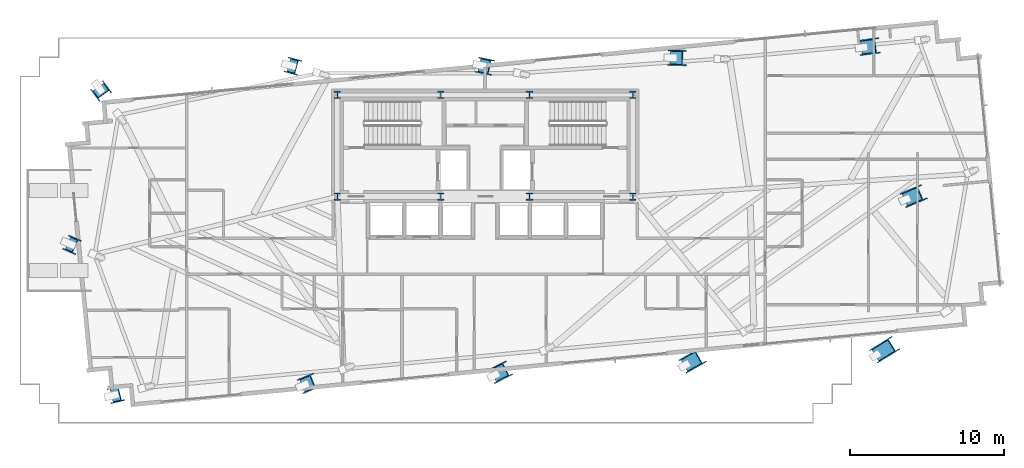
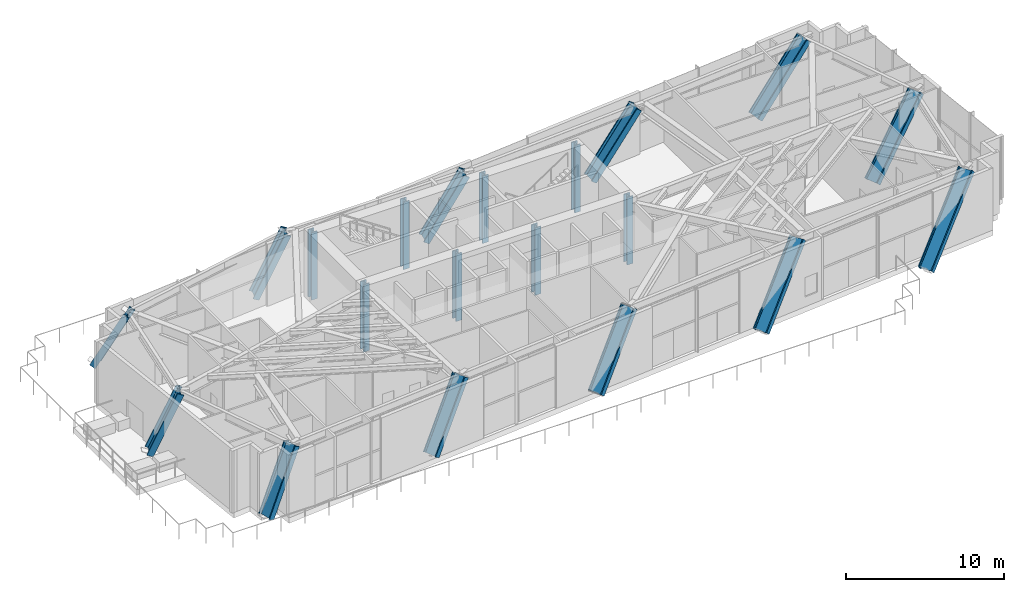
# One storey, part 1 of 28: 20 columns.
"""IFC4 building model written with IfcOpenShell, lengths in metres."""

from ifc_helpers import new_model, si_unit, direction, frame, origin, origin_2d, place, context, subcontext, project, spatial, i_section, extrude, source, transform, mapped, material, material_profile, profile_set, type_object, type_shapes, element, save


model = new_model("IFC4")

# Units and contexts
model_context = context("Model", 3, precision=1e-05, world=origin(), true_north=direction((0.0, 1.0)))
body_context = subcontext(model_context, "Body", "Model", "MODEL_VIEW")
ifc_project = project(units=[si_unit("LENGTHUNIT", "METRE"), si_unit("AREAUNIT", "SQUARE_METRE"), si_unit("VOLUMEUNIT", "CUBIC_METRE"), si_unit("PLANEANGLEUNIT", "RADIAN"), si_unit("MASSUNIT", "GRAM", prefix="KILO")], contexts=[model_context])

# Site, building, storey
site_placement = place(None, origin())
site = spatial("IfcSite", under=ifc_project, at=site_placement, CompositionType="ELEMENT")
building_placement = place(site_placement, origin())
building = spatial("IfcBuilding", under=site, at=building_placement, Name="Astriad Promenade Condominiums", CompositionType="ELEMENT")
storey_placement = place(building_placement, frame((0.0, 0.0, 72.60009765625)))
storey = spatial("IfcBuildingStorey", under=building, at=storey_placement, Name="L20", CompositionType="ELEMENT", Elevation=72.60009765625)

# Columns
ifc_material = material(Name="Steel ASTM A992 Grade 50", Category="steel")
ifc_material_profile_1 = material_profile(ifc_material, i_section(OverallWidth=0.427490234375, OverallDepth=0.483154296875, WebThickness=0.05126953125, FlangeThickness=0.08154296875, FilletRadius=0.017822265625, at=origin_2d()), Name="W14X455")
ifc_profile_set_1 = profile_set([ifc_material_profile_1], Name="Steel ASTM A992 Grade 50")
column_type_1 = type_object("IfcColumnType", Name="STEEL CORE PILASTER W14X455", PredefinedType="PILASTER", material=ifc_profile_set_1)
shared_shape_1 = source(origin(), body_context, "Body", "SweptSolid", [
    extrude(i_section(OverallWidth=0.427490234375, OverallDepth=0.483154296875, WebThickness=0.05126953125, FlangeThickness=0.08154296875, FilletRadius=0.017822265625, at=origin_2d()), origin(), (0.0, 0.0, 1.0), 5.196044921875),
])
type_shapes(column_type_1, [shared_shape_1])
for number, where, z_axis, x_axis, name in (
    (1, (26.39990234375, 17.39990234375, 0.001953125), (0.0, 0.0, 1.0), (1.0, 0.0, 0.0), "Core Pilaster Column CP1 (L20)"),
    (2, (33.1201171875, 17.39990234375, 0.001953125), (0.0, 0.0, 1.0), (1.0, 0.0, 0.0), "Core Pilaster Column CP2 (L20)"),
    (3, (38.8798828125, 17.39990234375, 0.001953125), (0.0, 0.0, 1.0), (1.0, 0.0, 0.0), "Core Pilaster Column CP3 (L20)"),
    (4, (45.60009765625, 17.39990234375, 0.001953125), (0.0, 0.0, 1.0), (1.0, 0.0, 0.0), "Core Pilaster Column CP4 (L20)"),
    (5, (26.39990234375, 24.0, 0.001953125), (0.0, 0.0, 1.0), (1.0, 0.0, 0.0), "Core Pilaster Column CP5 (L20)"),
    (6, (33.1201171875, 24.0, 0.001953125), (0.0, 0.0, 1.0), (1.0, 0.0, 0.0), "Core Pilaster Column CP6 (L20)"),
    (7, (38.8798828125, 24.0, 0.001953125), (0.0, 0.0, 1.0), (1.0, 0.0, 0.0), "Core Pilaster Column CP7 (L20)"),
    (8, (45.60009765625, 24.0, 0.001953125), (0.0, 0.0, 1.0), (1.0, 0.0, 0.0), "Core Pilaster Column CP8 (L20)"),
):
    element("IfcColumn", number, at=place(storey_placement, frame(where, z_axis=z_axis, x_axis=x_axis)), inside=storey, type_object=column_type_1, Name=name, PredefinedType="PILASTER", context=body_context, shape_type="MappedRepresentation", body=[
        mapped(shared_shape_1, transform((0.0, 0.0, 0.0), scale=1.0)),
    ])
ifc_material_profile_2 = material_profile(ifc_material, i_section(OverallWidth=0.4375, OverallDepth=1.01123046875, WebThickness=0.041015625, FlangeThickness=0.073974609375, FilletRadius=0.024169921875, at=origin_2d()), Name="W36X529")
ifc_profile_set_2 = profile_set([ifc_material_profile_2], Name="Steel ASTM A992 Grade 50")
column_type_2 = type_object("IfcColumnType", Name="STEEL RAKING MEGA COLUMN W36X529", PredefinedType="COLUMN", material=ifc_profile_set_2)
shared_shape_2 = source(origin(), body_context, "Body", "SweptSolid", [
    extrude(i_section(OverallWidth=0.4375, OverallDepth=1.01123046875, WebThickness=0.041015625, FlangeThickness=0.073974609375, FilletRadius=0.024169921875, at=origin_2d()), origin(), (0.0, 0.0, 1.0), 5.085205078125),
])
column_1_placement = place(storey_placement, frame((11.73486328125, 4.45751953125, 0.1083984375), z_axis=(0.428528444191, 0.106003899258, 0.897288440727), x_axis=(-0.871034557512, -0.215465415974, 0.44144473509)))
element("IfcColumn", 9, at=column_1_placement, inside=storey, type_object=column_type_2, Name="Raking Mega-Strut Column PC01 (L20)", PredefinedType="COLUMN", context=body_context, shape_type="MappedRepresentation", body=[
    mapped(shared_shape_2, transform((0.0, 0.0, 0.0), scale=1.0)),
])
shared_shape_3 = source(origin(), body_context, "Body", "SweptSolid", [
    extrude(i_section(OverallWidth=0.4375, OverallDepth=1.01123046875, WebThickness=0.041015625, FlangeThickness=0.073974609375, FilletRadius=0.024169921875, at=origin_2d()), origin(), (0.0, 0.0, 1.0), 5.423583984375),
])
column_2_placement = place(storey_placement, frame((24.135009765625, 5.105712890625, 0.133056640625), z_axis=(0.514107031912, 0.207605431326, 0.832222292793), x_axis=(-0.771678997149, -0.311617505897, 0.554442111837)))
element("IfcColumn", 10, at=column_2_placement, inside=storey, type_object=column_type_2, Name="Raking Mega-Strut Column PC02 (L20)", PredefinedType="COLUMN", context=body_context, shape_type="MappedRepresentation", body=[
    mapped(shared_shape_3, transform((0.0, 0.0, 0.0), scale=1.0)),
])
shared_shape_4 = source(origin(), body_context, "Body", "SweptSolid", [
    extrude(i_section(OverallWidth=0.4375, OverallDepth=1.01123046875, WebThickness=0.041015625, FlangeThickness=0.073974609375, FilletRadius=0.024169921875, at=origin_2d()), origin(), (0.0, 0.0, 1.0), 5.865478515625),
])
column_3_placement = place(storey_placement, frame((36.5390625, 5.7587890625, 0.1533203125), z_axis=(0.577983981192, 0.290407189744, 0.762625846421), x_axis=(-0.681444578201, -0.342390812481, 0.646839870733)))
element("IfcColumn", 11, at=column_3_placement, inside=storey, type_object=column_type_2, Name="Raking Mega-Strut Column PC03 (L20)", PredefinedType="COLUMN", context=body_context, shape_type="MappedRepresentation", body=[
    mapped(shared_shape_4, transform((0.0, 0.0, 0.0), scale=1.0)),
])
shared_shape_5 = source(origin(), body_context, "Body", "SweptSolid", [
    extrude(i_section(OverallWidth=0.4375, OverallDepth=1.01123046875, WebThickness=0.041015625, FlangeThickness=0.073974609375, FilletRadius=0.024169921875, at=origin_2d()), origin(), (0.0, 0.0, 1.0), 6.38818359375),
])
column_4_placement = place(storey_placement, frame((48.944580078125, 6.414794921875, 0.169189453125), z_axis=(0.624362881187, 0.356074491279, 0.695256750601), x_axis=(-0.60394515579, -0.344430251362, 0.718761469991)))
element("IfcColumn", 12, at=column_4_placement, inside=storey, type_object=column_type_2, Name="Raking Mega-Strut Column PC04 (L20)", PredefinedType="COLUMN", context=body_context, shape_type="MappedRepresentation", body=[
    mapped(shared_shape_5, transform((0.0, 0.0, 0.0), scale=1.0)),
])
shared_shape_6 = source(origin(), body_context, "Body", "SweptSolid", [
    extrude(i_section(OverallWidth=0.4375, OverallDepth=1.01123046875, WebThickness=0.041015625, FlangeThickness=0.073974609375, FilletRadius=0.024169921875, at=origin_2d()), origin(), (0.0, 0.0, 1.0), 6.97314453125),
])
column_5_placement = place(storey_placement, frame((61.3505859375, 7.072509765625, 0.18115234375), z_axis=(0.65764639219, 0.407667940303, 0.633488810705), x_axis=(-0.538430545128, -0.333767316198, 0.773751850861)))
element("IfcColumn", 13, at=column_5_placement, inside=storey, type_object=column_type_2, Name="Raking Mega-Strut Column PC05 (L20)", PredefinedType="COLUMN", context=body_context, shape_type="MappedRepresentation", body=[
    mapped(shared_shape_6, transform((0.0, 0.0, 0.0), scale=1.0)),
])
shared_shape_7 = source(origin(), body_context, "Body", "SweptSolid", [
    extrude(i_section(OverallWidth=0.4375, OverallDepth=1.01123046875, WebThickness=0.041015625, FlangeThickness=0.073974609375, FilletRadius=0.024169921875, at=origin_2d()), origin(), (0.0, 0.0, 1.0), 5.11767578125),
])
column_6_placement = place(storey_placement, frame((10.871337890625, 24.498046875, 0.111572265625), z_axis=(0.267775773109, -0.368102238608, 0.890391418011), x_axis=(-0.523786256777, 0.720031134382, 0.455195697181)))
element("IfcColumn", 14, at=column_6_placement, inside=storey, type_object=column_type_2, Name="Raking Mega-Strut Column PC06 (L20)", PredefinedType="COLUMN", context=body_context, shape_type="MappedRepresentation", body=[
    mapped(shared_shape_7, transform((0.0, 0.0, 0.0), scale=1.0)),
])
shared_shape_8 = source(origin(), body_context, "Body", "SweptSolid", [
    extrude(i_section(OverallWidth=0.4375, OverallDepth=1.01123046875, WebThickness=0.041015625, FlangeThickness=0.073974609375, FilletRadius=0.024169921875, at=origin_2d()), origin(), (0.0, 0.0, 1.0), 5.028564453125),
])
column_7_placement = place(storey_placement, frame((23.2529296875, 25.937744140625, 0.102783203125), z_axis=(0.401019992199, -0.10845988651, 0.909625977463), x_axis=(-0.878077634316, 0.237484919499, 0.415428190094)))
element("IfcColumn", 15, at=column_7_placement, inside=storey, type_object=column_type_2, Name="Raking Mega-Strut Column PC07 (L20)", PredefinedType="COLUMN", context=body_context, shape_type="MappedRepresentation", body=[
    mapped(shared_shape_8, transform((0.0, 0.0, 0.0), scale=1.0)),
])
shared_shape_9 = source(origin(), body_context, "Body", "SweptSolid", [
    extrude(i_section(OverallWidth=0.4375, OverallDepth=1.01123046875, WebThickness=0.041015625, FlangeThickness=0.073974609375, FilletRadius=0.024169921875, at=origin_2d()), origin(), (0.0, 0.0, 1.0), 5.27001953125),
])
column_8_placement = place(storey_placement, frame((35.649169921875, 25.935302734375, 0.12353515625), z_axis=(0.499720902571, -0.102566244395, 0.860092544465), x_axis=(-0.84252926259, 0.172926651282, 0.510138035198)))
element("IfcColumn", 16, at=column_8_placement, inside=storey, type_object=column_type_2, Name="Raking Mega-Strut Column PC08 (L20)", PredefinedType="COLUMN", context=body_context, shape_type="MappedRepresentation", body=[
    mapped(shared_shape_9, transform((0.0, 0.0, 0.0), scale=1.0)),
])
shared_shape_10 = source(origin(), body_context, "Body", "SweptSolid", [
    extrude(i_section(OverallWidth=0.4375, OverallDepth=1.01123046875, WebThickness=0.041015625, FlangeThickness=0.073974609375, FilletRadius=0.024169921875, at=origin_2d()), origin(), (0.0, 0.0, 1.0), 5.548828125),
])
column_9_placement = place(storey_placement, frame((48.048095703125, 26.4248046875, 0.139892578125), z_axis=(0.584868790237, -0.015707376673, 0.810975817472), x_axis=(-0.810683514332, 0.021771911127, 0.585079672759)))
element("IfcColumn", 17, at=column_9_placement, inside=storey, type_object=column_type_2, Name="Raking Mega-Strut Column PC09 (L20)", PredefinedType="COLUMN", context=body_context, shape_type="MappedRepresentation", body=[
    mapped(shared_shape_10, transform((0.0, 0.0, 0.0), scale=1.0)),
])
shared_shape_11 = source(origin(), body_context, "Body", "SweptSolid", [
    extrude(i_section(OverallWidth=0.4375, OverallDepth=1.01123046875, WebThickness=0.041015625, FlangeThickness=0.073974609375, FilletRadius=0.024169921875, at=origin_2d()), origin(), (0.0, 0.0, 1.0), 5.919921875),
])
column_10_placement = place(storey_placement, frame((60.45068359375, 27.07275390625, 0.1552734375), z_axis=(0.650293455534, 0.084544747834, 0.754963977487), x_axis=(-0.74866329796, -0.097333825521, 0.655766263769)))
element("IfcColumn", 18, at=column_10_placement, inside=storey, type_object=column_type_2, Name="Raking Mega-Strut Column PC10 (L20)", PredefinedType="COLUMN", context=body_context, shape_type="MappedRepresentation", body=[
    mapped(shared_shape_11, transform((0.0, 0.0, 0.0), scale=1.0)),
])
shared_shape_12 = source(origin(), body_context, "Body", "SweptSolid", [
    extrude(i_section(OverallWidth=0.4375, OverallDepth=1.01123046875, WebThickness=0.041015625, FlangeThickness=0.073974609375, FilletRadius=0.024169921875, at=origin_2d()), origin(), (0.0, 0.0, 1.0), 4.983642578125),
])
column_11_placement = place(storey_placement, frame((8.924072265625, 14.363525390625, 0.09765625), z_axis=(0.359033601049, -0.157741601225, 0.919898070745), x_axis=(-0.842198044788, 0.370020153393, 0.392157544157)))
element("IfcColumn", 19, at=column_11_placement, inside=storey, type_object=column_type_2, Name="Raking Mega-Strut Column PC11 (L20)", PredefinedType="COLUMN", context=body_context, shape_type="MappedRepresentation", body=[
    mapped(shared_shape_12, transform((0.0, 0.0, 0.0), scale=1.0)),
])
shared_shape_13 = source(origin(), body_context, "Body", "SweptSolid", [
    extrude(i_section(OverallWidth=0.4375, OverallDepth=1.01123046875, WebThickness=0.041015625, FlangeThickness=0.073974609375, FilletRadius=0.024169921875, at=origin_2d()), origin(), (0.0, 0.0, 1.0), 6.377685546875),
])
type_shapes(column_type_2, [shared_shape_2, shared_shape_3, shared_shape_4, shared_shape_5, shared_shape_6, shared_shape_7, shared_shape_8, shared_shape_9, shared_shape_10, shared_shape_11, shared_shape_12, shared_shape_13])
column_12_placement = place(storey_placement, frame((63.2744140625, 17.1875, 0.168701171875), z_axis=(0.660728602065, 0.279718649785, 0.696559539002), x_axis=(-0.641445929974, -0.271555354016, 0.717498995557)))
element("IfcColumn", 20, at=column_12_placement, inside=storey, type_object=column_type_2, Name="Raking Mega-Strut Column PC12 (L20)", PredefinedType="COLUMN", context=body_context, shape_type="MappedRepresentation", body=[
    mapped(shared_shape_13, transform((0.0, 0.0, 0.0), scale=1.0)),
])

save(model, "model.ifc")
